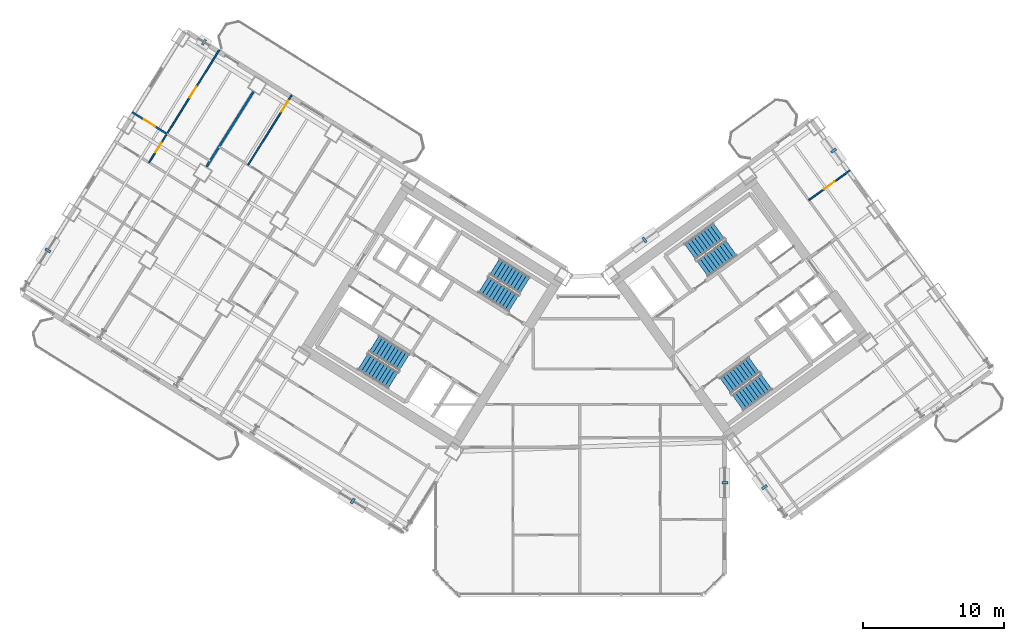
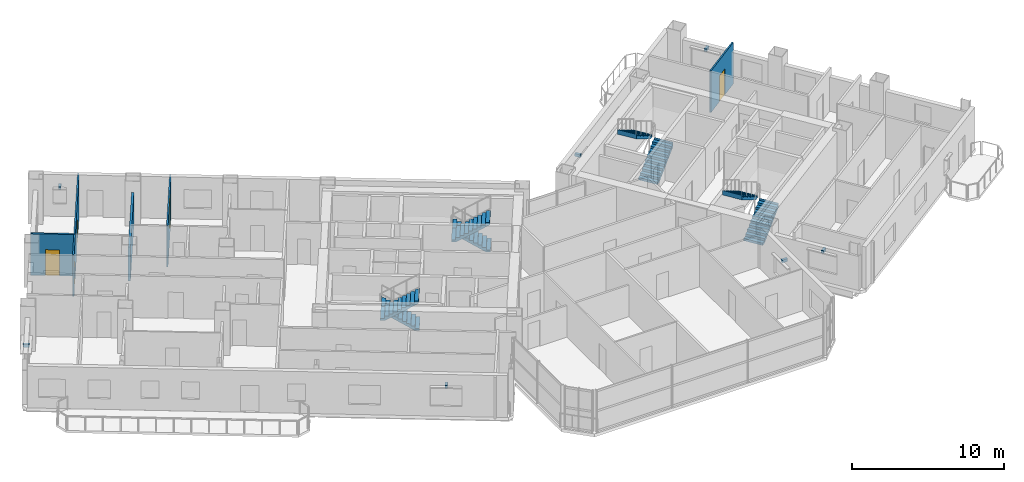
# One storey, part 20 of 25: 8 stair flights, 7 discrete accessories, 5 doors, 5 walls, 5 openings, 4 elements without a shape of their own.
"""IFC4 building model written with IfcOpenShell, lengths in metres."""

import ifcopenshell
import ifcopenshell.guid

model = None  # the IFC model being written
_history = None  # IfcOwnerHistory: only IFC2X3 demands one
_inside = {}  # id of a spatial element -> (the spatial element, [elements in it])
_under = {}  # id of a project, library or spatial element -> (it, [spatial elements below it])
_declared = {}  # id of a project -> (the project, [libraries it declares])
_typed = {}  # id of a type object -> (the type object, [elements of that type])
_made_of = {}  # id of a material, layer set ... -> (it, [elements and type objects made of it])


def new_model(schema):
    """Start an empty IFC model of exactly this schema.

    Asked for "IFC4X3", IfcOpenShell would pick the latest addendum, in which some entities
    have other attributes; the version numbers below select the first issue.
    IFC2X3 requires an IfcOwnerHistory on every rooted entity: one is made here for all.
    """
    global model, _history
    if schema == "IFC4X3":
        model = ifcopenshell.file(schema_version=(4, 3, 0, 0))
    else:
        model = ifcopenshell.file(schema=schema)
    _inside.clear()
    _under.clear()
    _declared.clear()
    _typed.clear()
    _made_of.clear()
    _history = None
    if model.schema == "IFC2X3":
        org = make("IfcOrganization", Name="unknown")
        user = make(
            "IfcPersonAndOrganization",
            ThePerson=make("IfcPerson", FamilyName="unknown"),
            TheOrganization=org,
        )
        app = make(
            "IfcApplication",
            ApplicationDeveloper=org,
            Version="unknown",
            ApplicationFullName="unknown",
            ApplicationIdentifier="unknown",
        )
        _history = make(
            "IfcOwnerHistory",
            OwningUser=user,
            OwningApplication=app,
            ChangeAction="ADDED",
            CreationDate=0,
        )
    return model


def make(cls, **values):
    """One entity of the class cls with the attributes given. An attribute that is None is left unset."""
    return model.create_entity(
        cls, **{name: value for name, value in values.items() if value is not None}
    )


def rooted(cls, **values):
    """An entity with a GlobalId (a new one), such as an element, a storey or a relation."""
    return make(cls, GlobalId=ifcopenshell.guid.new(), OwnerHistory=_history, **values)


def si_unit(unit_type, name, prefix=None):
    """IfcSIUnit, for example si_unit("LENGTHUNIT", "METRE", prefix="MILLI")."""
    return make("IfcSIUnit", UnitType=unit_type, Prefix=prefix, Name=name)


def assignment(units):
    """IfcUnitAssignment: the units of a project."""
    return None if units is None else make("IfcUnitAssignment", Units=units)


def point(xyz):
    """IfcCartesianPoint."""
    return None if xyz is None else make("IfcCartesianPoint", Coordinates=xyz)


def direction(xyz):
    """IfcDirection."""
    return None if xyz is None else make("IfcDirection", DirectionRatios=xyz)


def frame(location, z_axis=None, x_axis=None):
    """IfcAxis2Placement3D, a coordinate frame: its origin and axes. An axis left out is left unset."""
    return make(
        "IfcAxis2Placement3D",
        Location=point(location),
        Axis=direction(z_axis),
        RefDirection=direction(x_axis),
    )


def frame_2d(location, x_axis=None):
    """IfcAxis2Placement2D, a coordinate frame in the plane: its origin and x axis."""
    return make(
        "IfcAxis2Placement2D", Location=point(location), RefDirection=direction(x_axis)
    )


def origin():
    """The frame at (0, 0, 0) with its axes left unset."""
    return frame((0.0, 0.0, 0.0))


def origin_2d():
    """The frame at (0, 0) in the plane with its x axis left unset."""
    return frame_2d((0.0, 0.0))


def place(relative_to, where):
    """IfcLocalPlacement: puts the frame where relative to a parent placement (None: the world)."""
    return make(
        "IfcLocalPlacement", PlacementRelTo=relative_to, RelativePlacement=where
    )


def context(
    kind, dimensions, precision=None, world=None, true_north=None, identifier=None
):
    """IfcGeometricRepresentationContext, for example the 3D "Model" context."""
    return make(
        "IfcGeometricRepresentationContext",
        ContextIdentifier=identifier,
        ContextType=kind,
        CoordinateSpaceDimension=dimensions,
        Precision=precision,
        WorldCoordinateSystem=world,
        TrueNorth=true_north,
    )


def subcontext(parent, identifier, kind, view, scale=None):
    """IfcGeometricRepresentationSubContext, for example "Body" below "Model"."""
    return make(
        "IfcGeometricRepresentationSubContext",
        ContextIdentifier=identifier,
        ContextType=kind,
        ParentContext=parent,
        TargetScale=scale,
        TargetView=view,
    )


def project(units=None, contexts=None):
    """IfcProject with its units and contexts."""
    return rooted(
        "IfcProject",
        Name="project",
        RepresentationContexts=contexts,
        UnitsInContext=assignment(units),
    )


def spatial(cls, under=None, at=None, **own):
    """A site, building, storey or space (cls), placed at a placement, below another one or the project."""
    s = rooted(cls, ObjectPlacement=at, **own)
    if under is not None:
        _under.setdefault(under.id(), (under, []))[1].append(s)
    return s


def polyline(points):
    """IfcPolyline through the points."""
    return make("IfcPolyline", Points=[point(p) for p in points])


def profile(cls, at=None, kind="AREA", **sizes):
    """A parametric profile (cls). Its sizes go by their IFC names, for example OverallWidth=200.0."""
    return make(cls, ProfileType=kind, Position=at, **sizes)


def rectangle(**sizes):
    """IfcRectangleProfileDef."""
    return profile("IfcRectangleProfileDef", **sizes)


def outline(outer, holes=None, kind="AREA"):
    """IfcArbitraryClosedProfileDef: a profile drawn as a closed curve; with holes, ...WithVoids."""
    if holes is None:
        return make("IfcArbitraryClosedProfileDef", ProfileType=kind, OuterCurve=outer)
    return make(
        "IfcArbitraryProfileDefWithVoids",
        ProfileType=kind,
        OuterCurve=outer,
        InnerCurves=holes,
    )


def extrude(swept, where, along, depth):
    """IfcExtrudedAreaSolid: the profile swept, set in the frame where, extruded along a direction by depth."""
    return make(
        "IfcExtrudedAreaSolid",
        SweptArea=swept,
        Position=where,
        ExtrudedDirection=direction(along),
        Depth=depth,
    )


def shape(context_of_items, identifier, shape_type, items):
    """IfcShapeRepresentation: the items that make up one representation, for example the "Body"."""
    return make(
        "IfcShapeRepresentation",
        ContextOfItems=context_of_items,
        RepresentationIdentifier=identifier,
        RepresentationType=shape_type,
        Items=items,
    )


def source(mapping_origin, context_of_items, identifier, shape_type, items):
    """IfcRepresentationMap: a shape defined once, which mapped items show again and again."""
    return make(
        "IfcRepresentationMap",
        MappingOrigin=mapping_origin,
        MappedRepresentation=shape(context_of_items, identifier, shape_type, items),
    )


def transform(
    local_origin,
    x_axis=None,
    y_axis=None,
    z_axis=None,
    scale=None,
    scale2=None,
    scale3=None,
    uniform=True,
):
    """IfcCartesianTransformationOperator3D, or its non-uniform kind. x_axis, y_axis, z_axis: its Axis1, 2, 3."""
    if uniform:
        return make(
            "IfcCartesianTransformationOperator3D",
            Axis1=direction(x_axis),
            Axis2=direction(y_axis),
            LocalOrigin=point(local_origin),
            Scale=scale,
            Axis3=direction(z_axis),
        )
    return make(
        "IfcCartesianTransformationOperator3DnonUniform",
        Axis1=direction(x_axis),
        Axis2=direction(y_axis),
        LocalOrigin=point(local_origin),
        Scale=scale,
        Axis3=direction(z_axis),
        Scale2=scale2,
        Scale3=scale3,
    )


def mapped(mapping_source, mapping_target):
    """IfcMappedItem: shows the shape of a source again, moved by a transform."""
    return make(
        "IfcMappedItem", MappingSource=mapping_source, MappingTarget=mapping_target
    )


def material(Name=None, Category=None):
    """IfcMaterial."""
    return make("IfcMaterial", Name=Name, Category=Category)


def layer(
    of_material, thickness, ventilated=None, Name=None, Category=None, Priority=None
):
    """IfcMaterialLayer: one layer of a wall or slab, of a material (None: an air gap)."""
    return make(
        "IfcMaterialLayer",
        Material=of_material,
        LayerThickness=thickness,
        IsVentilated=ventilated,
        Name=Name,
        Category=Category,
        Priority=Priority,
    )


def layer_set(layers, Name=None):
    """IfcMaterialLayerSet."""
    return make("IfcMaterialLayerSet", MaterialLayers=layers, LayerSetName=Name)


def made_of(thing, what):
    """Note that an element or type object is made of a material, layer set ...; save() writes the relation."""
    if what is not None:
        _made_of.setdefault(what.id(), (what, []))[1].append(thing)
    return thing


def type_object(cls, material=None, **own):
    """A type object (cls), such as IfcWallType, which elements share."""
    return made_of(rooted(cls, **own), material)


def element(
    cls,
    number,
    at=None,
    inside=None,
    cuts=None,
    type_object=None,
    material=None,
    context=None,
    identifier="Body",
    shape_type=None,
    held_by="IfcProductDefinitionShape",
    body=None,
    shapes=None,
    **own,
):
    """One element of the class cls, such as IfcWall. Its Tag is "e" and its number.

    at: its placement. inside: the storey or other place that contains it. cuts: it is an
    opening in that element (IfcRelVoidsElement). A single representation is given by context,
    identifier, shape_type and body (its items); several are given by shapes. held_by: the class
    of the entity that holds the representations. save() writes the other relations.
    """
    e = rooted(cls, Tag="e%d" % number, ObjectPlacement=at, **own)
    if body is not None:
        shapes = [shape(context, identifier, shape_type, body)]
    if shapes is not None:
        e.Representation = make(held_by, Representations=shapes)
    if inside is not None:
        _inside.setdefault(inside.id(), (inside, []))[1].append(e)
    if cuts is not None:
        rooted(
            "IfcRelVoidsElement", RelatingBuildingElement=cuts, RelatedOpeningElement=e
        )
    if type_object is not None:
        _typed.setdefault(type_object.id(), (type_object, []))[1].append(e)
    return made_of(e, material)


def fill(opening, filler):
    """IfcRelFillsElement: the door or window that sits in an opening."""
    return rooted(
        "IfcRelFillsElement",
        RelatingOpeningElement=opening,
        RelatedBuildingElement=filler,
    )


def aggregate(whole, parts):
    """IfcRelAggregates: a whole, such as a stair, and the parts it consists of."""
    return rooted("IfcRelAggregates", RelatingObject=whole, RelatedObjects=parts)


def save(model, path):
    """Write the relations noted so far, then the file.

    IfcRelAggregates (storeys below a building ...), IfcRelContainedInSpatialStructure (elements
    in a storey), IfcRelDefinesByType, IfcRelAssociatesMaterial and IfcRelDeclares: one each for
    every whole, place, type object, material and project.
    """
    for whole, parts in _under.values():
        aggregate(whole, parts)
    for where, things in _inside.values():
        rooted(
            "IfcRelContainedInSpatialStructure",
            RelatedElements=things,
            RelatingStructure=where,
        )
    for kind, things in _typed.values():
        rooted("IfcRelDefinesByType", RelatedObjects=things, RelatingType=kind)
    for what, things in _made_of.values():
        rooted("IfcRelAssociatesMaterial", RelatedObjects=things, RelatingMaterial=what)
    for by, libraries in _declared.values():
        rooted("IfcRelDeclares", RelatingContext=by, RelatedDefinitions=libraries)
    model.write(path)


model = new_model("IFC4")

# Units and contexts
model_context = context("Model", 3, precision=1e-05, world=origin(), true_north=direction((0.0, 1.0)))
body_context = subcontext(model_context, "Body", "Model", "MODEL_VIEW")
ifc_project = project(units=[si_unit("LENGTHUNIT", "METRE"), si_unit("AREAUNIT", "SQUARE_METRE"), si_unit("VOLUMEUNIT", "CUBIC_METRE"), si_unit("PLANEANGLEUNIT", "RADIAN"), si_unit("MASSUNIT", "GRAM", prefix="KILO")], contexts=[model_context])

# Site, building, storey
site_placement = place(None, origin())
site = spatial("IfcSite", under=ifc_project, at=site_placement, CompositionType="ELEMENT")
building_placement = place(site_placement, origin())
building = spatial("IfcBuilding", under=site, at=building_placement, Name="Tlacorven Tower", CompositionType="ELEMENT")
storey_placement = place(building_placement, frame((0.0, 0.0, 52.800048828125)))
storey = spatial("IfcBuildingStorey", under=building, at=storey_placement, Name="L13", CompositionType="ELEMENT", Elevation=52.800048828125)

# Wall
ifc_material_1 = material(Name="Gypsum plasterboard acoustic partition", Category="gypsum")
ifc_layer_1 = layer(ifc_material_1, 0.159912109375)
ifc_layer_set_1 = layer_set([ifc_layer_1], Name="Gypsum plasterboard acoustic partition")
wall_type_1 = type_object("IfcWallType", Name="WL-DEM-160", PredefinedType="PARTITIONING", material=ifc_layer_set_1)
wall_1_placement = place(storey_placement, frame((18.801513671875, 37.60009765625, 0.0), z_axis=(0.0, 0.0, 1.0), x_axis=(-0.529915015264, -0.848050751193, 0.0)))
element("IfcWall", 1, at=wall_1_placement, inside=storey, type_object=wall_type_1, Name="L13 WS Demising Wall 2", PredefinedType="PARTITIONING", context=body_context, shape_type="SweptSolid", body=[
    extrude(rectangle(XDim=6.27587890625, YDim=0.159912109375, at=frame_2d((3.137939453125, 0.0))), origin(), (0.0, 0.0, 1.0), 2.724853515625),
])

# Wall, opening, door
ifc_material_2 = material(Name="Gypsum plasterboard partition", Category="gypsum")
ifc_layer_2 = layer(ifc_material_2, 0.110107421875)
ifc_layer_set_2 = layer_set([ifc_layer_2], Name="Gypsum plasterboard partition")
wall_type_2 = type_object("IfcWallType", Name="WL-INT-110", PredefinedType="PARTITIONING", material=ifc_layer_set_2)
wall_2_placement = place(storey_placement, frame((21.516845703125, 37.356201171875, 0.0), z_axis=(0.0, 0.0, 1.0), x_axis=(-0.529916267533, -0.848049968695, 0.0)))
wall_2 = element("IfcWall", 2, at=wall_2_placement, inside=storey, type_object=wall_type_2, Name="L13 partition 70", PredefinedType="PARTITIONING", context=body_context, shape_type="SweptSolid", body=[
    extrude(rectangle(XDim=5.840087890625, YDim=0.110107421875, at=frame_2d((2.919921875, 0.0))), origin(), (0.0, 0.0, 1.0), 3.33984375),
])
opening_1_placement = place(wall_2_placement, frame((0.469970703125, 0.0, 0.0)))
opening_1 = element("IfcOpeningElement", 3, at=opening_1_placement, cuts=wall_2, Name="Opening D12", PredefinedType="OPENING", context=body_context, shape_type="SweptSolid", body=[
    extrude(rectangle(XDim=0.919921875, YDim=2.080078125, at=frame_2d((0.4599609375, 1.0400390625))), frame((0.0, 0.06494140625, 0.0), z_axis=(0.0, -1.0, 0.0), x_axis=(1.0, 0.0, 0.0)), (0.0, 0.0, 1.0), 0.130126953125),
])
ifc_material_3 = material(Name="Powder-coated aluminium and timber door", Category="wood")
door_type_1 = type_object("IfcDoorType", Name="DR-INT-ROOM-0920", OperationType="NOTDEFINED", PredefinedType="DOOR", material=ifc_material_3)
shared_shape_1 = source(origin(), body_context, "Body", "SweptSolid", [
    extrude(rectangle(XDim=0.919921875, YDim=2.080078125, at=frame_2d((0.4599609375, 1.0400390625))), frame((0.0, 0.02490234375, 0.0), z_axis=(0.0, -1.0, 0.0), x_axis=(1.0, 0.0, 0.0)), (0.0, 0.0, 1.0), 0.050048828125),
])
door_1_placement = place(opening_1_placement, origin())
door_1 = element("IfcDoor", 4, at=door_1_placement, inside=storey, type_object=door_type_1, Name="L13 door 035", OperationType="SINGLE_SWING_RIGHT", OverallHeight=2.080078125, OverallWidth=0.919921875, PredefinedType="DOOR", context=body_context, shape_type="MappedRepresentation", body=[
    mapped(shared_shape_1, transform((0.0, 0.0, 0.0), scale=1.0)),
])
fill(opening_1, door_1)

# Wall, openings, doors
wall_3_placement = place(storey_placement, frame((16.384521484375, 40.563232421875, 0.0), z_axis=(0.0, 0.0, 1.0), x_axis=(-0.529931378574, -0.848040526156, 0.0)))
wall_3 = element("IfcWall", 5, at=wall_3_placement, inside=storey, type_object=wall_type_2, Name="L13 partition 71", PredefinedType="PARTITIONING", context=body_context, shape_type="SweptSolid", body=[
    extrude(rectangle(XDim=9.419921875, YDim=0.110107421875, at=frame_2d((4.7099609375, 0.0))), origin(), (0.0, 0.0, 1.0), 3.33984375),
])
opening_2_placement = place(wall_3_placement, frame((7.780029296875, 0.0, 0.0)))
opening_2 = element("IfcOpeningElement", 6, at=opening_2_placement, cuts=wall_3, Name="Opening D22", PredefinedType="OPENING", context=body_context, shape_type="SweptSolid", body=[
    extrude(rectangle(XDim=0.780029296875, YDim=2.050048828125, at=frame_2d((0.39013671875, 1.02490234375))), frame((0.0, 0.06494140625, 0.0), z_axis=(0.0, -1.0, 0.0), x_axis=(1.0, 0.0, 0.0)), (0.0, 0.0, 1.0), 0.130126953125),
])
opening_3_placement = place(wall_3_placement, frame((3.050048828125, 0.0, 0.0)))
opening_3 = element("IfcOpeningElement", 7, at=opening_3_placement, cuts=wall_3, Name="Opening D12", PredefinedType="OPENING", context=body_context, shape_type="SweptSolid", body=[
    extrude(rectangle(XDim=0.919921875, YDim=2.080078125, at=frame_2d((0.4599609375, 1.0400390625))), frame((0.0, 0.06494140625, 0.0), z_axis=(0.0, -1.0, 0.0), x_axis=(1.0, 0.0, 0.0)), (0.0, 0.0, 1.0), 0.130126953125),
])
door_type_2 = type_object("IfcDoorType", Name="DR-INT-WET-0780", OperationType="NOTDEFINED", PredefinedType="DOOR", material=ifc_material_3)
shared_shape_2 = source(origin(), body_context, "Body", "SweptSolid", [
    extrude(rectangle(XDim=0.780029296875, YDim=2.050048828125, at=frame_2d((0.39013671875, 1.02490234375))), frame((0.0, 0.02490234375, 0.0), z_axis=(0.0, -1.0, 0.0), x_axis=(1.0, 0.0, 0.0)), (0.0, 0.0, 1.0), 0.050048828125),
])
door_2_placement = place(opening_2_placement, origin())
door_2 = element("IfcDoor", 8, at=door_2_placement, inside=storey, type_object=door_type_2, Name="L13 door 042", OperationType="SINGLE_SWING_LEFT", OverallHeight=2.050048828125, OverallWidth=0.780029296875, PredefinedType="DOOR", context=body_context, shape_type="MappedRepresentation", body=[
    mapped(shared_shape_2, transform((0.0, 0.0, 0.0), scale=1.0)),
])
fill(opening_2, door_2)
door_3_placement = place(opening_3_placement, origin())
door_3 = element("IfcDoor", 9, at=door_3_placement, inside=storey, type_object=door_type_1, Name="L13 door 043", OperationType="SINGLE_SWING_RIGHT", OverallHeight=2.080078125, OverallWidth=0.919921875, PredefinedType="DOOR", context=body_context, shape_type="MappedRepresentation", body=[
    mapped(shared_shape_1, transform((0.0, 0.0, 0.0), scale=1.0)),
])
fill(opening_3, door_3)

# Wall, opening, door
wall_4_placement = place(storey_placement, frame((58.19482421875, 29.903564453125, 0.0), z_axis=(0.0, 0.0, 1.0), x_axis=(0.809005039917, 0.58780170584, 0.0)))
wall_4 = element("IfcWall", 10, at=wall_4_placement, inside=storey, type_object=wall_type_2, Name="L13 partition 103", PredefinedType="PARTITIONING", context=body_context, shape_type="SweptSolid", body=[
    extrude(rectangle(XDim=3.610107421875, YDim=0.110107421875, at=frame_2d((1.80517578125, 0.0))), origin(), (0.0, 0.0, 1.0), 3.33984375),
])
opening_4_placement = place(wall_4_placement, frame((1.344970703125, 0.0, 0.0)))
opening_4 = element("IfcOpeningElement", 11, at=opening_4_placement, cuts=wall_4, Name="Opening D12", PredefinedType="OPENING", context=body_context, shape_type="SweptSolid", body=[
    extrude(rectangle(XDim=0.919921875, YDim=2.080078125, at=frame_2d((0.4599609375, 1.0400390625))), frame((0.0, 0.06494140625, 0.0), z_axis=(0.0, -1.0, 0.0), x_axis=(1.0, 0.0, 0.0)), (0.0, 0.0, 1.0), 0.130126953125),
])
door_4_placement = place(opening_4_placement, origin())
door_4 = element("IfcDoor", 12, at=door_4_placement, inside=storey, type_object=door_type_1, Name="L13 door 063", OperationType="SINGLE_SWING_RIGHT", OverallHeight=2.080078125, OverallWidth=0.919921875, PredefinedType="DOOR", context=body_context, shape_type="MappedRepresentation", body=[
    mapped(shared_shape_1, transform((0.0, 0.0, 0.0), scale=1.0)),
])
fill(opening_4, door_4)

ifc_material_4 = material(Name="Moisture-resistant gypsum plumbing wall", Category="gypsum")
ifc_layer_3 = layer(ifc_material_4, 0.139892578125)
ifc_layer_set_3 = layer_set([ifc_layer_3], Name="Moisture-resistant gypsum plumbing wall")
wall_type_3 = type_object("IfcWallType", Name="WL-PLM-140", PredefinedType="PLUMBINGWALL", material=ifc_layer_set_3)
wall_5_placement = place(storey_placement, frame((12.66455078125, 34.60986328125, 0.0), z_axis=(0.0, 0.0, 1.0), x_axis=(-0.848045593671, 0.529923269025, 0.0)))
wall_5 = element("IfcWall", 13, at=wall_5_placement, inside=storey, type_object=wall_type_3, Name="L13 partition 73", PredefinedType="PLUMBINGWALL", context=body_context, shape_type="SweptSolid", body=[
    extrude(rectangle(XDim=2.900146484375, YDim=0.139892578125, at=frame_2d((1.4501953125, 0.0))), origin(), (0.0, 0.0, 1.0), 3.33984375),
])
opening_5_placement = place(wall_5_placement, frame((0.989990234375, 0.0, 0.0)))
opening_5 = element("IfcOpeningElement", 14, at=opening_5_placement, cuts=wall_5, Name="Opening D12", PredefinedType="OPENING", context=body_context, shape_type="SweptSolid", body=[
    extrude(rectangle(XDim=0.919921875, YDim=2.080078125, at=frame_2d((0.4599609375, 1.0400390625))), frame((0.0, 0.080078125, 0.0), z_axis=(0.0, -1.0, 0.0), x_axis=(1.0, 0.0, 0.0)), (0.0, 0.0, 1.0), 0.159912109375),
])
door_5_placement = place(opening_5_placement, origin())
door_5 = element("IfcDoor", 15, at=door_5_placement, inside=storey, type_object=door_type_1, Name="L13 door 041", OperationType="SINGLE_SWING_LEFT", OverallHeight=2.080078125, OverallWidth=0.919921875, PredefinedType="DOOR", context=body_context, shape_type="MappedRepresentation", body=[
    mapped(shared_shape_1, transform((0.0, 0.0, 0.0), scale=1.0)),
])
fill(opening_5, door_5)

# Stair, stair flights
ifc_material_5 = material(Name="Concrete C40/50", Category="concrete")
stair_type = type_object("IfcStairType", Name="ST-CORE-DLG", PredefinedType="HALF_TURN_STAIR", material=ifc_material_5)
stair_1_placement = place(storey_placement, origin())
stair_1 = element("IfcStair", 16, at=stair_1_placement, inside=storey, type_object=stair_type, Name="L13 Protected Exit Stair West 1", PredefinedType="HALF_TURN_STAIR")
stair_flight_type = type_object("IfcStairFlightType", Name="SFL-RC-1380", PredefinedType="STRAIGHT", material=ifc_material_5)
shared_shape_3 = source(origin(), body_context, "Body", "SweptSolid", [
    extrude(outline(polyline([(-0.0029296875, -0.0029296875), (-0.0029296875, 0.179931640625), (0.280029296875, 0.179931640625), (0.280029296875, 0.360107421875), (0.56005859375, 0.360107421875), (0.56005859375, 0.5400390625), (0.840087890625, 0.5400390625), (0.840087890625, 0.719970703125), (1.1201171875, 0.719970703125), (1.1201171875, 0.89990234375), (1.39990234375, 0.89990234375), (1.39990234375, 1.080078125), (1.679931640625, 1.080078125), (1.679931640625, 1.260009765625), (1.9599609375, 1.260009765625), (1.9599609375, 1.43994140625), (2.239990234375, 1.43994140625), (2.239990234375, 1.6201171875), (2.52001953125, 1.6201171875), (2.52001953125, 1.800048828125), (2.52294921875, 1.800048828125), (2.52294921875, 1.429931640625), (2.52001953125, 1.429931640625), (0.295654296875, 0.0), (0.295654296875, -0.0029296875), (-0.0029296875, -0.0029296875)])), frame((0.0, 0.68994140625, 0.0), z_axis=(0.0, -1.0, 0.0), x_axis=(1.0, 0.0, 0.0)), (0.0, 0.0, 1.0), 1.3798828125),
])
stair_flight_1_placement = place(storey_placement, frame((29.499755859375, 18.39453125, 0.0), z_axis=(0.0, 0.0, 1.0), x_axis=(-0.848048096156, 0.529919264233, 0.0)))
stair_flight_1 = element("IfcStairFlight", 17, at=stair_flight_1_placement, type_object=stair_flight_type, Name="ST-W1 flight 1", NumberOfRisers=10, NumberOfTreads=9, PredefinedType="STRAIGHT", RiserHeight=0.18, TreadLength=0.28, context=body_context, shape_type="MappedRepresentation", body=[
    mapped(shared_shape_3, transform((0.0, 0.0, 0.0), scale=1.0)),
])
stair_flight_2_placement = place(storey_placement, frame((26.56787109375, 18.4580078125, 1.800048828125), z_axis=(0.0, 0.0, 1.0), x_axis=(0.848048096156, -0.529919264233, 0.0)))
stair_flight_2 = element("IfcStairFlight", 18, at=stair_flight_2_placement, type_object=stair_flight_type, Name="ST-W1 flight 2", NumberOfRisers=10, NumberOfTreads=9, PredefinedType="STRAIGHT", RiserHeight=0.18, TreadLength=0.28, context=body_context, shape_type="MappedRepresentation", body=[
    mapped(shared_shape_3, transform((0.0, 0.0, 0.0), scale=1.0)),
])
aggregate(stair_1, [stair_flight_1, stair_flight_2])

stair_2_placement = place(storey_placement, origin())
stair_2 = element("IfcStair", 19, at=stair_2_placement, inside=storey, type_object=stair_type, Name="L13 Protected Exit Stair West 2", PredefinedType="HALF_TURN_STAIR")
stair_flight_3_placement = place(storey_placement, frame((38.051513671875, 23.852294921875, 0.0), z_axis=(0.0, 0.0, 1.0), x_axis=(-0.848048096156, 0.529919264233, 0.0)))
stair_flight_3 = element("IfcStairFlight", 20, at=stair_flight_3_placement, type_object=stair_flight_type, Name="ST-W2 flight 1", NumberOfRisers=10, NumberOfTreads=9, PredefinedType="STRAIGHT", RiserHeight=0.18, TreadLength=0.28, context=body_context, shape_type="MappedRepresentation", body=[
    mapped(shared_shape_3, transform((0.0, 0.0, 0.0), scale=1.0)),
])
stair_flight_4_placement = place(storey_placement, frame((35.119384765625, 23.91552734375, 1.800048828125), z_axis=(0.0, 0.0, 1.0), x_axis=(0.848048096156, -0.529919264233, 0.0)))
stair_flight_4 = element("IfcStairFlight", 21, at=stair_flight_4_placement, type_object=stair_flight_type, Name="ST-W2 flight 2", NumberOfRisers=10, NumberOfTreads=9, PredefinedType="STRAIGHT", RiserHeight=0.18, TreadLength=0.28, context=body_context, shape_type="MappedRepresentation", body=[
    mapped(shared_shape_3, transform((0.0, 0.0, 0.0), scale=1.0)),
])
aggregate(stair_2, [stair_flight_3, stair_flight_4])

stair_3_placement = place(storey_placement, origin())
stair_3 = element("IfcStair", 22, at=stair_3_placement, inside=storey, type_object=stair_type, Name="L13 Protected Exit Stair East 1", PredefinedType="HALF_TURN_STAIR")
stair_flight_5_placement = place(storey_placement, frame((50.6533203125, 25.0400390625, 0.0), z_axis=(0.0, 0.0, 1.0), x_axis=(0.809016994375, 0.587785252292, 0.0)))
stair_flight_5 = element("IfcStairFlight", 23, at=stair_flight_5_placement, type_object=stair_flight_type, Name="ST-E1 flight 1", NumberOfRisers=10, NumberOfTreads=9, PredefinedType="STRAIGHT", RiserHeight=0.18, TreadLength=0.28, context=body_context, shape_type="MappedRepresentation", body=[
    mapped(shared_shape_3, transform((0.0, 0.0, 0.0), scale=1.0)),
])
stair_flight_6_placement = place(storey_placement, frame((51.810546875, 27.734619140625, 1.800048828125), z_axis=(0.0, 0.0, 1.0), x_axis=(-0.809016994375, -0.587785252292, 0.0)))
stair_flight_6 = element("IfcStairFlight", 24, at=stair_flight_6_placement, type_object=stair_flight_type, Name="ST-E1 flight 2", NumberOfRisers=10, NumberOfTreads=9, PredefinedType="STRAIGHT", RiserHeight=0.18, TreadLength=0.28, context=body_context, shape_type="MappedRepresentation", body=[
    mapped(shared_shape_3, transform((0.0, 0.0, 0.0), scale=1.0)),
])
aggregate(stair_3, [stair_flight_5, stair_flight_6])

stair_4_placement = place(storey_placement, origin())
stair_4 = element("IfcStair", 25, at=stair_4_placement, inside=storey, type_object=stair_type, Name="L13 Protected Exit Stair East 2", PredefinedType="HALF_TURN_STAIR")
stair_flight_7_placement = place(storey_placement, frame((53.157470703125, 15.536865234375, 0.0), z_axis=(0.0, 0.0, 1.0), x_axis=(0.809016994375, 0.587785252292, 0.0)))
stair_flight_7 = element("IfcStairFlight", 26, at=stair_flight_7_placement, type_object=stair_flight_type, Name="ST-E2 flight 1", NumberOfRisers=10, NumberOfTreads=9, PredefinedType="STRAIGHT", RiserHeight=0.18, TreadLength=0.28, context=body_context, shape_type="MappedRepresentation", body=[
    mapped(shared_shape_3, transform((0.0, 0.0, 0.0), scale=1.0)),
])
stair_flight_8_placement = place(storey_placement, frame((54.314453125, 18.231689453125, 1.800048828125), z_axis=(0.0, 0.0, 1.0), x_axis=(-0.809016994375, -0.587785252292, 0.0)))
stair_flight_8 = element("IfcStairFlight", 27, at=stair_flight_8_placement, type_object=stair_flight_type, Name="ST-E2 flight 2", NumberOfRisers=10, NumberOfTreads=9, PredefinedType="STRAIGHT", RiserHeight=0.18, TreadLength=0.28, context=body_context, shape_type="MappedRepresentation", body=[
    mapped(shared_shape_3, transform((0.0, 0.0, 0.0), scale=1.0)),
])
aggregate(stair_4, [stair_flight_7, stair_flight_8])

# Discrete accessories
ifc_material_6 = material(Name="Steel S355J2", Category="steel")
discrete_accessory_type = type_object("IfcDiscreteAccessoryType", Name="ACC-BRK-01", PredefinedType="BRACKET", material=ifc_material_6)
shared_shape_4 = source(origin(), body_context, "Body", "SweptSolid", [
    extrude(rectangle(XDim=0.179931640625, YDim=0.419921875, at=origin_2d()), origin(), (0.0, 0.0, 1.0), 0.219970703125),
])
for number, where, z_axis, x_axis, name in (
    (28, (25.8427734375, 8.569580078125, 2.27978515625), (0.0, 0.0, 1.0), (-0.84804812172, 0.529919223323, 0.0), "L13 Sunshade Bracket L13-01.1"),
    (29, (4.219482421875, 26.341064453125, 2.27978515625), (0.0, 0.0, 1.0), (0.529918940959, 0.84804829816, 0.0), "L13 Sunshade Bracket L13-02.1"),
    (30, (15.288330078125, 41.106689453125, 2.18017578125), (0.0, 0.0, 1.0), (0.84804812172, -0.529919223323, 0.0), "L13 Sunshade Bracket L13-03.1"),
    (31, (46.5419921875, 27.083740234375, 2.27978515625), (0.0, 0.0, 1.0), (0.809017097486, 0.587785110372, 0.0), "L13 Sunshade Bracket L13-04.1"),
    (32, (59.95361328125, 33.420654296875, 2.27978515625), (0.0, 0.0, 1.0), (0.587785363163, -0.809016913823, 0.0), "L13 Sunshade Bracket L13-05.1"),
    (33, (55.04931640625, 9.54736328125, 2.27978515625), (0.0, 0.0, 1.0), (-0.587785622053, 0.809016725728, 0.0), "L13 Sunshade Bracket L13-07.1"),
    (34, (52.239990234375, 9.861572265625, 2.27978515625), (0.0, 0.0, 1.0), (0.0, -1.0, 0.0), "L13 Sunshade Bracket L13-08.1"),
):
    element("IfcDiscreteAccessory", number, at=place(storey_placement, frame(where, z_axis=z_axis, x_axis=x_axis)), inside=storey, type_object=discrete_accessory_type, Name=name, PredefinedType="BRACKET", context=body_context, shape_type="MappedRepresentation", body=[
        mapped(shared_shape_4, transform((0.0, 0.0, 0.0), scale=1.0)),
    ])

save(model, "model.ifc")
